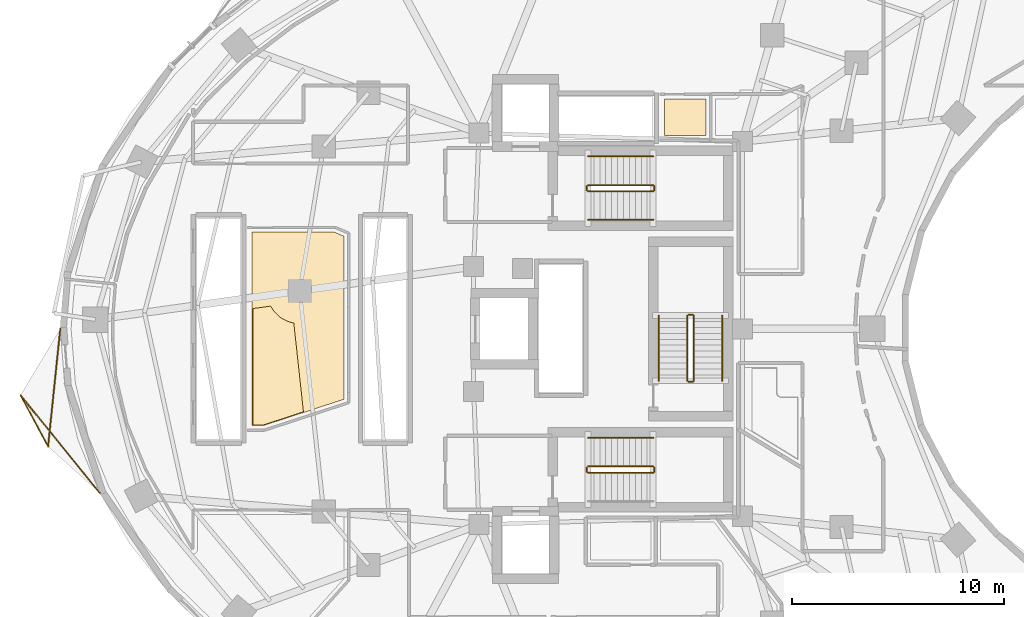
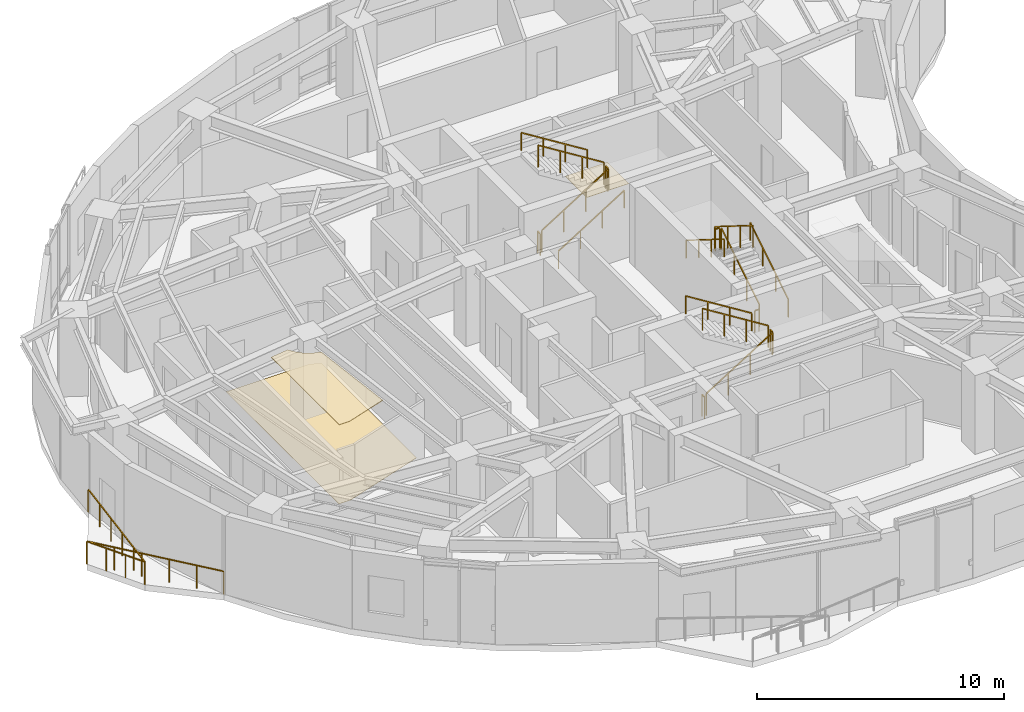
# One storey, part 13 of 14: 18 railings, 3 coverings.
"""IFC4 building model written with IfcOpenShell, lengths in metres."""

from ifc_helpers import new_model, si_unit, direction, frame, origin, origin_2d, place, context, subcontext, project, spatial, polyline, rectangle, outline, extrude, material, layer, layer_set, type_object, element, save


model = new_model("IFC4")

# Units and contexts
model_context = context("Model", 3, precision=1e-05, world=origin(), true_north=direction((0.0, 1.0)))
body_context = subcontext(model_context, "Body", "Model", "MODEL_VIEW")
ifc_project = project(units=[si_unit("LENGTHUNIT", "METRE"), si_unit("AREAUNIT", "SQUARE_METRE"), si_unit("VOLUMEUNIT", "CUBIC_METRE"), si_unit("PLANEANGLEUNIT", "RADIAN"), si_unit("MASSUNIT", "GRAM", prefix="KILO")], contexts=[model_context])

# Site, building, storey
site_placement = place(None, origin())
site = spatial("IfcSite", under=ifc_project, at=site_placement, CompositionType="ELEMENT")
building_placement = place(site_placement, origin())
building = spatial("IfcBuilding", under=site, at=building_placement, Name="Korentha Bioscience Tower", CompositionType="ELEMENT")
storey_placement = place(building_placement, frame((0.0, 0.0, 90.0)))
storey = spatial("IfcBuildingStorey", under=building, at=storey_placement, Name="L20", CompositionType="ELEMENT", Elevation=90.0)

# Covering
ifc_material_1 = material(Name="Vitrified Porcelain Tile", Category="ceramic")
ifc_layer_1 = layer(ifc_material_1, 0.014892578125, Name="Vitrified Porcelain Tile")
ifc_layer_set_1 = layer_set([ifc_layer_1], Name="Vitrified Porcelain Tile (FL-CER)")
covering_type_1 = type_object("IfcCoveringType", Name="Anti-Slip Ceramic Wet-Room Tile Flooring 15", PredefinedType="FLOORING", material=ifc_layer_set_1)
covering_1_placement = place(storey_placement, origin())
element("IfcCovering", 1, at=covering_1_placement, inside=storey, type_object=covering_type_1, Name="L20 Accessible Staff WC Floor Finish", PredefinedType="FLOORING", context=body_context, shape_type="SweptSolid", body=[
    extrude(outline(polyline([(33.8701171875, 36.1298828125), (33.8701171875, 37.8701171875), (35.830078125, 37.8701171875), (35.830078125, 36.1298828125), (33.8701171875, 36.1298828125)])), origin(), (0.0, 0.0, 1.0), 0.014892578125),
])

# Railings
ifc_material_2 = material(Name="Stainless Steel 304", Category="steel")
railing_type_1 = type_object("IfcRailingType", Name="Brushed Stainless Stair Handrail 900", PredefinedType="HANDRAIL", material=ifc_material_2)
railing_1_placement = place(storey_placement, frame((30.25, 32.14990234375, 0.175048828125)))
element("IfcRailing", 2, at=railing_1_placement, inside=storey, type_object=railing_type_1, Name="L20 ST-1 stair handrail 1", PredefinedType="HANDRAIL", context=body_context, shape_type="SweptSolid", body=[
    extrude(rectangle(XDim=0.048095703125, YDim=0.048095703125, at=origin_2d()), frame((0.0, 0.0, 0.8759765625), z_axis=(0.847998304005, 0.0, 0.529998940003), x_axis=(0.0, 1.0, 0.0)), (0.0, 0.0, 1.0), 3.632080078125),
    extrude(rectangle(XDim=0.0419921875, YDim=0.0419921875, at=origin_2d()), origin(), (0.0, 0.0, 1.0), 0.851806640625),
    extrude(rectangle(XDim=0.0419921875, YDim=0.0419921875, at=origin_2d()), frame((1.026611328125, 0.0, 0.6416015625)), (0.0, 0.0, 1.0), 0.851806640625),
    extrude(rectangle(XDim=0.0419921875, YDim=0.0419921875, at=origin_2d()), frame((2.053466796875, 0.0, 1.283447265625)), (0.0, 0.0, 1.0), 0.851806640625),
    extrude(rectangle(XDim=0.0419921875, YDim=0.0419921875, at=origin_2d()), frame((3.080078125, 0.0, 1.925048828125)), (0.0, 0.0, 1.0), 0.851806640625),
])
for number, where, name in (
    (3, (33.330078125, 35.14990234375, 2.27490234375), "L20 ST-1 stair handrail 2"),
    (4, (33.330078125, 21.85009765625, 2.27490234375), "L20 ST-2 stair handrail 2"),
):
    element("IfcRailing", number, at=place(storey_placement, frame(where)), inside=storey, type_object=railing_type_1, Name=name, PredefinedType="HANDRAIL", context=body_context, shape_type="SweptSolid", body=[
        extrude(rectangle(XDim=0.048095703125, YDim=0.048095703125, at=origin_2d()), frame((0.0, 0.0, 0.8759765625), z_axis=(-0.847998304005, 0.0, 0.529998940003), x_axis=(0.0, -1.0, 0.0)), (0.0, 0.0, 1.0), 3.632080078125),
        extrude(rectangle(XDim=0.0419921875, YDim=0.0419921875, at=origin_2d()), origin(), (0.0, 0.0, 1.0), 0.851806640625),
        extrude(rectangle(XDim=0.0419921875, YDim=0.0419921875, at=origin_2d()), frame((-1.026611328125, 0.0, 0.6416015625)), (0.0, 0.0, 1.0), 0.851806640625),
        extrude(rectangle(XDim=0.0419921875, YDim=0.0419921875, at=origin_2d()), frame((-2.053466796875, 0.0, 1.283447265625)), (0.0, 0.0, 1.0), 0.851806640625),
        extrude(rectangle(XDim=0.0419921875, YDim=0.0419921875, at=origin_2d()), frame((-3.080078125, 0.0, 1.925048828125)), (0.0, 0.0, 1.0), 0.851806640625),
    ])
railing_2_placement = place(storey_placement, frame((36.60009765625, 24.550048828125, 0.175048828125)))
element("IfcRailing", 5, at=railing_2_placement, inside=storey, type_object=railing_type_1, Name="L20 ST-3 stair handrail 1", PredefinedType="HANDRAIL", context=body_context, shape_type="SweptSolid", body=[
    extrude(rectangle(XDim=0.048095703125, YDim=0.048095703125, at=origin_2d()), frame((0.0, 0.0, 0.8759765625), z_axis=(0.0, 0.847979421464, 0.530029150871), x_axis=(-1.0, 0.0, 0.0)), (0.0, 0.0, 1.0), 3.632080078125),
    extrude(rectangle(XDim=0.0419921875, YDim=0.0419921875, at=origin_2d()), origin(), (0.0, 0.0, 1.0), 0.851806640625),
    extrude(rectangle(XDim=0.0419921875, YDim=0.0419921875, at=origin_2d()), frame((0.0, 1.026611328125, 0.6416015625)), (0.0, 0.0, 1.0), 0.851806640625),
    extrude(rectangle(XDim=0.0419921875, YDim=0.0419921875, at=origin_2d()), frame((0.0, 2.05322265625, 1.283447265625)), (0.0, 0.0, 1.0), 0.851806640625),
    extrude(rectangle(XDim=0.0419921875, YDim=0.0419921875, at=origin_2d()), frame((0.0, 3.079833984375, 1.925048828125)), (0.0, 0.0, 1.0), 0.851806640625),
])
railing_3_placement = place(storey_placement, frame((33.60009765625, 27.6298828125, 2.27490234375)))
element("IfcRailing", 6, at=railing_3_placement, inside=storey, type_object=railing_type_1, Name="L20 ST-3 stair handrail 2", PredefinedType="HANDRAIL", context=body_context, shape_type="SweptSolid", body=[
    extrude(rectangle(XDim=0.048095703125, YDim=0.048095703125, at=origin_2d()), frame((0.0, 0.0, 0.8759765625), z_axis=(0.0, -0.847979421464, 0.530029150871), x_axis=(1.0, 0.0, 0.0)), (0.0, 0.0, 1.0), 3.632080078125),
    extrude(rectangle(XDim=0.0419921875, YDim=0.0419921875, at=origin_2d()), origin(), (0.0, 0.0, 1.0), 0.851806640625),
    extrude(rectangle(XDim=0.0419921875, YDim=0.0419921875, at=origin_2d()), frame((0.0, -1.026611328125, 0.6416015625)), (0.0, 0.0, 1.0), 0.851806640625),
    extrude(rectangle(XDim=0.0419921875, YDim=0.0419921875, at=origin_2d()), frame((0.0, -2.05322265625, 1.283447265625)), (0.0, 0.0, 1.0), 0.851806640625),
    extrude(rectangle(XDim=0.0419921875, YDim=0.0419921875, at=origin_2d()), frame((0.0, -3.079833984375, 1.925048828125)), (0.0, 0.0, 1.0), 0.851806640625),
])
ifc_material_3 = material(Name="Laminated Tempered Safety Glass", Category="glass")
railing_type_2 = type_object("IfcRailingType", Name="Laminated Glass Balcony Guardrail 1150", PredefinedType="BALUSTRADE", material=ifc_material_3)
railing_4_placement = place(storey_placement, frame((5.31396484375, 27.0, 0.0)))
element("IfcRailing", 7, at=railing_4_placement, inside=storey, type_object=railing_type_2, Name="L20 Balcony Guardrail 02", PredefinedType="BALUSTRADE", context=body_context, shape_type="SweptSolid", body=[
    extrude(rectangle(XDim=0.048095703125, YDim=0.048095703125, at=origin_2d()), frame((0.0, 0.0, 1.1259765625), z_axis=(-0.103140291233, -0.994666818751, 0.0), x_axis=(0.994666818751, -0.103140291233, 0.0)), (0.0, 0.0, 1.0), 5.595703125),
    extrude(rectangle(XDim=0.048095703125, YDim=0.048095703125, at=origin_2d()), frame((-0.5771484375, -5.56591796875, 1.1259765625), z_axis=(-0.472764072862, 0.881189044082, 0.0), x_axis=(-0.881189044082, -0.472764072862, 0.0)), (0.0, 0.0, 1.0), 2.7587890625),
    extrude(rectangle(XDim=0.048095703125, YDim=0.048095703125, at=origin_2d()), frame((-1.88134765625, -3.135009765625, 1.1259765625), z_axis=(0.63030320246, -0.776349066444, 0.0), x_axis=(0.776349066444, 0.63030320246, 0.0)), (0.0, 0.0, 1.0), 5.939453125),
    extrude(rectangle(XDim=0.0419921875, YDim=0.0419921875, at=origin_2d()), origin(), (0.0, 0.0, 1.0), 1.101806640625),
    extrude(rectangle(XDim=0.0419921875, YDim=0.0419921875, at=origin_2d()), frame((-0.115478515625, -1.11328125, 0.0)), (0.0, 0.0, 1.0), 1.101806640625),
    extrude(rectangle(XDim=0.0419921875, YDim=0.0419921875, at=origin_2d()), frame((-0.23095703125, -2.226318359375, 0.0)), (0.0, 0.0, 1.0), 1.101806640625),
    extrude(rectangle(XDim=0.0419921875, YDim=0.0419921875, at=origin_2d()), frame((-0.34619140625, -3.339599609375, 0.0)), (0.0, 0.0, 1.0), 1.101806640625),
    extrude(rectangle(XDim=0.0419921875, YDim=0.0419921875, at=origin_2d()), frame((-0.461669921875, -4.45263671875, 0.0)), (0.0, 0.0, 1.0), 1.101806640625),
    extrude(rectangle(XDim=0.0419921875, YDim=0.0419921875, at=origin_2d()), frame((-0.5771484375, -5.56591796875, 0.0)), (0.0, 0.0, 1.0), 1.101806640625),
    extrude(rectangle(XDim=0.0419921875, YDim=0.0419921875, at=origin_2d()), frame((-1.011962890625, -4.755615234375, 0.0)), (0.0, 0.0, 1.0), 1.101806640625),
    extrude(rectangle(XDim=0.0419921875, YDim=0.0419921875, at=origin_2d()), frame((-1.446533203125, -3.9453125, 0.0)), (0.0, 0.0, 1.0), 1.101806640625),
    extrude(rectangle(XDim=0.0419921875, YDim=0.0419921875, at=origin_2d()), frame((-1.88134765625, -3.135009765625, 0.0)), (0.0, 0.0, 1.0), 1.101806640625),
    extrude(rectangle(XDim=0.0419921875, YDim=0.0419921875, at=origin_2d()), frame((-1.132568359375, -4.05712890625, 0.0)), (0.0, 0.0, 1.0), 1.101806640625),
    extrude(rectangle(XDim=0.0419921875, YDim=0.0419921875, at=origin_2d()), frame((-0.3837890625, -4.9794921875, 0.0)), (0.0, 0.0, 1.0), 1.101806640625),
    extrude(rectangle(XDim=0.0419921875, YDim=0.0419921875, at=origin_2d()), frame((0.36474609375, -5.901611328125, 0.0)), (0.0, 0.0, 1.0), 1.101806640625),
    extrude(rectangle(XDim=0.0419921875, YDim=0.0419921875, at=origin_2d()), frame((1.113525390625, -6.823974609375, 0.0)), (0.0, 0.0, 1.0), 1.101806640625),
    extrude(rectangle(XDim=0.0419921875, YDim=0.0419921875, at=origin_2d()), frame((1.8623046875, -7.74609375, 0.0)), (0.0, 0.0, 1.0), 1.101806640625),
])

# Covering
ifc_material_4 = material(Name="Antimicrobial Mineral Fibre Board", Category="gypsum")
ifc_layer_2 = layer(ifc_material_4, 0.034912109375, Name="Antimicrobial Mineral Fibre Board")
ifc_layer_set_2 = layer_set([ifc_layer_2], Name="Antimicrobial Mineral Fibre Board (CL-MF35)")
covering_type_2 = type_object("IfcCoveringType", Name="Mineral-Fibre Cleanroom Suspended Ceiling 35", PredefinedType="CEILING", material=ifc_layer_set_2)
covering_2_placement = place(storey_placement, frame((0.0, 0.0, 3.864990234375)))
element("IfcCovering", 8, at=covering_2_placement, inside=storey, type_object=covering_type_2, Name="L20 Senior Scientist Corner Office 11 Acoustic Ceiling", PredefinedType="CEILING", context=body_context, shape_type="SweptSolid", body=[
    extrude(outline(polyline([(14.409912109375, 22.4599609375), (14.409912109375, 27.96044921875), (15.25390625, 28.078857421875), (15.428955078125, 27.813232421875), (15.643798828125, 27.598388671875), (15.76611328125, 27.5078125), (16.033935546875, 27.364501953125), (16.35009765625, 27.272705078125), (16.805419921875, 23.080810546875), (14.906494140625, 22.4599609375), (14.409912109375, 22.4599609375)])), origin(), (0.0, 0.0, 1.0), 0.034912109375),
])

# Railings
ifc_material_5 = material(Name="Painted Steel S275", Category="steel")
railing_type_3 = type_object("IfcRailingType", Name="Painted Steel Stair Well Guardrail 1100", PredefinedType="GUARDRAIL", material=ifc_material_5)
railing_5_placement = place(storey_placement, frame((30.25, 33.5, 0.175048828125)))
element("IfcRailing", 9, at=railing_5_placement, inside=storey, type_object=railing_type_3, Name="L20 ST-1 stair guard 1", PredefinedType="GUARDRAIL", context=body_context, shape_type="SweptSolid", body=[
    extrude(rectangle(XDim=0.048095703125, YDim=0.048095703125, at=origin_2d()), frame((0.0, 0.0, 1.076171875), z_axis=(0.847998304005, 0.0, 0.529998940003), x_axis=(0.0, 1.0, 0.0)), (0.0, 0.0, 1.0), 3.632080078125),
    extrude(rectangle(XDim=0.0419921875, YDim=0.0419921875, at=origin_2d()), origin(), (0.0, 0.0, 1.0), 1.052001953125),
    extrude(rectangle(XDim=0.0419921875, YDim=0.0419921875, at=origin_2d()), frame((1.026611328125, 0.0, 0.6416015625)), (0.0, 0.0, 1.0), 1.052001953125),
    extrude(rectangle(XDim=0.0419921875, YDim=0.0419921875, at=origin_2d()), frame((2.053466796875, 0.0, 1.283447265625)), (0.0, 0.0, 1.0), 1.052001953125),
    extrude(rectangle(XDim=0.0419921875, YDim=0.0419921875, at=origin_2d()), frame((3.080078125, 0.0, 1.925048828125)), (0.0, 0.0, 1.0), 1.052001953125),
])
railing_6_placement = place(storey_placement, frame((33.3798828125, 33.550048828125, 2.10009765625)))
element("IfcRailing", 10, at=railing_6_placement, inside=storey, type_object=railing_type_3, Name="L20 ST-1 stair guard 2", PredefinedType="GUARDRAIL", context=body_context, shape_type="SweptSolid", body=[
    extrude(rectangle(XDim=0.048095703125, YDim=0.048095703125, at=origin_2d()), frame((0.0, 0.0, 1.076171875), z_axis=(0.0, 1.0, 0.0), x_axis=(-1.0, 0.0, 0.0)), (0.0, 0.0, 1.0), 0.199951171875),
    extrude(rectangle(XDim=0.0419921875, YDim=0.0419921875, at=origin_2d()), origin(), (0.0, 0.0, 1.0), 1.052001953125),
    extrude(rectangle(XDim=0.0419921875, YDim=0.0419921875, at=origin_2d()), frame((0.0, 0.199951171875, 0.0)), (0.0, 0.0, 1.0), 1.052001953125),
])
railing_7_placement = place(storey_placement, frame((33.330078125, 33.800048828125, 2.27490234375)))
element("IfcRailing", 11, at=railing_7_placement, inside=storey, type_object=railing_type_3, Name="L20 ST-1 stair guard 3", PredefinedType="GUARDRAIL", context=body_context, shape_type="SweptSolid", body=[
    extrude(rectangle(XDim=0.048095703125, YDim=0.048095703125, at=origin_2d()), frame((0.0, 0.0, 1.076171875), z_axis=(-0.847998304005, 0.0, 0.529998940003), x_axis=(0.0, -1.0, 0.0)), (0.0, 0.0, 1.0), 3.632080078125),
    extrude(rectangle(XDim=0.0419921875, YDim=0.0419921875, at=origin_2d()), origin(), (0.0, 0.0, 1.0), 1.052001953125),
    extrude(rectangle(XDim=0.0419921875, YDim=0.0419921875, at=origin_2d()), frame((-1.026611328125, 0.0, 0.6416015625)), (0.0, 0.0, 1.0), 1.052001953125),
    extrude(rectangle(XDim=0.0419921875, YDim=0.0419921875, at=origin_2d()), frame((-2.053466796875, 0.0, 1.283447265625)), (0.0, 0.0, 1.0), 1.052001953125),
    extrude(rectangle(XDim=0.0419921875, YDim=0.0419921875, at=origin_2d()), frame((-3.080078125, 0.0, 1.925048828125)), (0.0, 0.0, 1.0), 1.052001953125),
])
railing_8_placement = place(storey_placement, frame((30.199951171875, 33.550048828125, 0.0)))
element("IfcRailing", 12, at=railing_8_placement, inside=storey, type_object=railing_type_3, Name="L20 ST-1 stair guard 4", PredefinedType="GUARDRAIL", context=body_context, shape_type="SweptSolid", body=[
    extrude(rectangle(XDim=0.048095703125, YDim=0.048095703125, at=origin_2d()), frame((0.0, 0.0, 1.076171875), z_axis=(0.0, 1.0, 0.0), x_axis=(-1.0, 0.0, 0.0)), (0.0, 0.0, 1.0), 0.199951171875),
    extrude(rectangle(XDim=0.0419921875, YDim=0.0419921875, at=origin_2d()), origin(), (0.0, 0.0, 1.0), 1.052001953125),
    extrude(rectangle(XDim=0.0419921875, YDim=0.0419921875, at=origin_2d()), frame((0.0, 0.199951171875, 0.0)), (0.0, 0.0, 1.0), 1.052001953125),
])
railing_9_placement = place(storey_placement, frame((30.25, 20.199951171875, 0.175048828125)))
element("IfcRailing", 13, at=railing_9_placement, inside=storey, type_object=railing_type_3, Name="L20 ST-2 stair guard 1", PredefinedType="GUARDRAIL", context=body_context, shape_type="SweptSolid", body=[
    extrude(rectangle(XDim=0.048095703125, YDim=0.048095703125, at=origin_2d()), frame((0.0, 0.0, 1.076171875), z_axis=(0.847998304005, 0.0, 0.529998940003), x_axis=(0.0, 1.0, 0.0)), (0.0, 0.0, 1.0), 3.632080078125),
    extrude(rectangle(XDim=0.0419921875, YDim=0.0419921875, at=origin_2d()), origin(), (0.0, 0.0, 1.0), 1.052001953125),
    extrude(rectangle(XDim=0.0419921875, YDim=0.0419921875, at=origin_2d()), frame((1.026611328125, 0.0, 0.6416015625)), (0.0, 0.0, 1.0), 1.052001953125),
    extrude(rectangle(XDim=0.0419921875, YDim=0.0419921875, at=origin_2d()), frame((2.053466796875, 0.0, 1.283447265625)), (0.0, 0.0, 1.0), 1.052001953125),
    extrude(rectangle(XDim=0.0419921875, YDim=0.0419921875, at=origin_2d()), frame((3.080078125, 0.0, 1.925048828125)), (0.0, 0.0, 1.0), 1.052001953125),
])
railing_10_placement = place(storey_placement, frame((33.3798828125, 20.25, 2.10009765625)))
element("IfcRailing", 14, at=railing_10_placement, inside=storey, type_object=railing_type_3, Name="L20 ST-2 stair guard 2", PredefinedType="GUARDRAIL", context=body_context, shape_type="SweptSolid", body=[
    extrude(rectangle(XDim=0.048095703125, YDim=0.048095703125, at=origin_2d()), frame((0.0, 0.0, 1.076171875), z_axis=(0.0, 1.0, 0.0), x_axis=(-1.0, 0.0, 0.0)), (0.0, 0.0, 1.0), 0.199951171875),
    extrude(rectangle(XDim=0.0419921875, YDim=0.0419921875, at=origin_2d()), origin(), (0.0, 0.0, 1.0), 1.052001953125),
    extrude(rectangle(XDim=0.0419921875, YDim=0.0419921875, at=origin_2d()), frame((0.0, 0.199951171875, 0.0)), (0.0, 0.0, 1.0), 1.052001953125),
])
railing_11_placement = place(storey_placement, frame((33.330078125, 20.5, 2.27490234375)))
element("IfcRailing", 15, at=railing_11_placement, inside=storey, type_object=railing_type_3, Name="L20 ST-2 stair guard 3", PredefinedType="GUARDRAIL", context=body_context, shape_type="SweptSolid", body=[
    extrude(rectangle(XDim=0.048095703125, YDim=0.048095703125, at=origin_2d()), frame((0.0, 0.0, 1.076171875), z_axis=(-0.847998304005, 0.0, 0.529998940003), x_axis=(0.0, -1.0, 0.0)), (0.0, 0.0, 1.0), 3.632080078125),
    extrude(rectangle(XDim=0.0419921875, YDim=0.0419921875, at=origin_2d()), origin(), (0.0, 0.0, 1.0), 1.052001953125),
    extrude(rectangle(XDim=0.0419921875, YDim=0.0419921875, at=origin_2d()), frame((-1.026611328125, 0.0, 0.6416015625)), (0.0, 0.0, 1.0), 1.052001953125),
    extrude(rectangle(XDim=0.0419921875, YDim=0.0419921875, at=origin_2d()), frame((-2.053466796875, 0.0, 1.283447265625)), (0.0, 0.0, 1.0), 1.052001953125),
    extrude(rectangle(XDim=0.0419921875, YDim=0.0419921875, at=origin_2d()), frame((-3.080078125, 0.0, 1.925048828125)), (0.0, 0.0, 1.0), 1.052001953125),
])
railing_12_placement = place(storey_placement, frame((30.199951171875, 20.25, 0.0)))
element("IfcRailing", 16, at=railing_12_placement, inside=storey, type_object=railing_type_3, Name="L20 ST-2 stair guard 4", PredefinedType="GUARDRAIL", context=body_context, shape_type="SweptSolid", body=[
    extrude(rectangle(XDim=0.048095703125, YDim=0.048095703125, at=origin_2d()), frame((0.0, 0.0, 1.076171875), z_axis=(0.0, 1.0, 0.0), x_axis=(-1.0, 0.0, 0.0)), (0.0, 0.0, 1.0), 0.199951171875),
    extrude(rectangle(XDim=0.0419921875, YDim=0.0419921875, at=origin_2d()), origin(), (0.0, 0.0, 1.0), 1.052001953125),
    extrude(rectangle(XDim=0.0419921875, YDim=0.0419921875, at=origin_2d()), frame((0.0, 0.199951171875, 0.0)), (0.0, 0.0, 1.0), 1.052001953125),
])
railing_13_placement = place(storey_placement, frame((35.25, 24.550048828125, 0.175048828125)))
element("IfcRailing", 17, at=railing_13_placement, inside=storey, type_object=railing_type_3, Name="L20 ST-3 stair guard 1", PredefinedType="GUARDRAIL", context=body_context, shape_type="SweptSolid", body=[
    extrude(rectangle(XDim=0.048095703125, YDim=0.048095703125, at=origin_2d()), frame((0.0, 0.0, 1.076171875), z_axis=(0.0, 0.847979421464, 0.530029150871), x_axis=(-1.0, 0.0, 0.0)), (0.0, 0.0, 1.0), 3.632080078125),
    extrude(rectangle(XDim=0.0419921875, YDim=0.0419921875, at=origin_2d()), origin(), (0.0, 0.0, 1.0), 1.052001953125),
    extrude(rectangle(XDim=0.0419921875, YDim=0.0419921875, at=origin_2d()), frame((0.0, 1.026611328125, 0.6416015625)), (0.0, 0.0, 1.0), 1.052001953125),
    extrude(rectangle(XDim=0.0419921875, YDim=0.0419921875, at=origin_2d()), frame((0.0, 2.05322265625, 1.283447265625)), (0.0, 0.0, 1.0), 1.052001953125),
    extrude(rectangle(XDim=0.0419921875, YDim=0.0419921875, at=origin_2d()), frame((0.0, 3.079833984375, 1.925048828125)), (0.0, 0.0, 1.0), 1.052001953125),
])
railing_14_placement = place(storey_placement, frame((35.199951171875, 27.679931640625, 2.10009765625)))
element("IfcRailing", 18, at=railing_14_placement, inside=storey, type_object=railing_type_3, Name="L20 ST-3 stair guard 2", PredefinedType="GUARDRAIL", context=body_context, shape_type="SweptSolid", body=[
    extrude(rectangle(XDim=0.048095703125, YDim=0.048095703125, at=origin_2d()), frame((0.0, 0.0, 1.076171875), z_axis=(-1.0, 0.0, 0.0), x_axis=(0.0, -1.0, 0.0)), (0.0, 0.0, 1.0), 0.199951171875),
    extrude(rectangle(XDim=0.0419921875, YDim=0.0419921875, at=origin_2d()), origin(), (0.0, 0.0, 1.0), 1.052001953125),
    extrude(rectangle(XDim=0.0419921875, YDim=0.0419921875, at=origin_2d()), frame((-0.199951171875, 0.0, 0.0)), (0.0, 0.0, 1.0), 1.052001953125),
])
railing_15_placement = place(storey_placement, frame((34.949951171875, 27.6298828125, 2.27490234375)))
element("IfcRailing", 19, at=railing_15_placement, inside=storey, type_object=railing_type_3, Name="L20 ST-3 stair guard 3", PredefinedType="GUARDRAIL", context=body_context, shape_type="SweptSolid", body=[
    extrude(rectangle(XDim=0.048095703125, YDim=0.048095703125, at=origin_2d()), frame((0.0, 0.0, 1.076171875), z_axis=(0.0, -0.847979421464, 0.530029150871), x_axis=(1.0, 0.0, 0.0)), (0.0, 0.0, 1.0), 3.632080078125),
    extrude(rectangle(XDim=0.0419921875, YDim=0.0419921875, at=origin_2d()), origin(), (0.0, 0.0, 1.0), 1.052001953125),
    extrude(rectangle(XDim=0.0419921875, YDim=0.0419921875, at=origin_2d()), frame((0.0, -1.026611328125, 0.6416015625)), (0.0, 0.0, 1.0), 1.052001953125),
    extrude(rectangle(XDim=0.0419921875, YDim=0.0419921875, at=origin_2d()), frame((0.0, -2.05322265625, 1.283447265625)), (0.0, 0.0, 1.0), 1.052001953125),
    extrude(rectangle(XDim=0.0419921875, YDim=0.0419921875, at=origin_2d()), frame((0.0, -3.079833984375, 1.925048828125)), (0.0, 0.0, 1.0), 1.052001953125),
])
railing_16_placement = place(storey_placement, frame((35.199951171875, 24.5, 0.0)))
element("IfcRailing", 20, at=railing_16_placement, inside=storey, type_object=railing_type_3, Name="L20 ST-3 stair guard 4", PredefinedType="GUARDRAIL", context=body_context, shape_type="SweptSolid", body=[
    extrude(rectangle(XDim=0.048095703125, YDim=0.048095703125, at=origin_2d()), frame((0.0, 0.0, 1.076171875), z_axis=(-1.0, 0.0, 0.0), x_axis=(0.0, -1.0, 0.0)), (0.0, 0.0, 1.0), 0.199951171875),
    extrude(rectangle(XDim=0.0419921875, YDim=0.0419921875, at=origin_2d()), origin(), (0.0, 0.0, 1.0), 1.052001953125),
    extrude(rectangle(XDim=0.0419921875, YDim=0.0419921875, at=origin_2d()), frame((-0.199951171875, 0.0, 0.0)), (0.0, 0.0, 1.0), 1.052001953125),
])

# Covering
ifc_material_6 = material(Name="Chemical-Resistant Epoxy Resin", Category="polymer")
ifc_layer_3 = layer(ifc_material_6, 0.011962890625, Name="Chemical-Resistant Epoxy Resin")
ifc_layer_set_3 = layer_set([ifc_layer_3], Name="Chemical-Resistant Epoxy Resin (FL-EPX)")
covering_type_3 = type_object("IfcCoveringType", Name="Seamless Epoxy Laboratory Flooring 12", PredefinedType="FLOORING", material=ifc_layer_set_3)
covering_3_placement = place(storey_placement, origin())
element("IfcCovering", 21, at=covering_3_placement, inside=storey, type_object=covering_type_3, Name="L20 Senior Scientist Corner Office 11 Floor Finish", PredefinedType="FLOORING", context=body_context, shape_type="SweptSolid", body=[
    extrude(outline(polyline([(14.3798828125, 22.429931640625), (14.3798828125, 31.570068359375), (18.273193359375, 31.570068359375), (18.727783203125, 31.376953125), (18.727783203125, 23.677490234375), (14.9111328125, 22.429931640625), (14.3798828125, 22.429931640625)])), origin(), (0.0, 0.0, 1.0), 0.011962890625),
])

save(model, "model.ifc")
